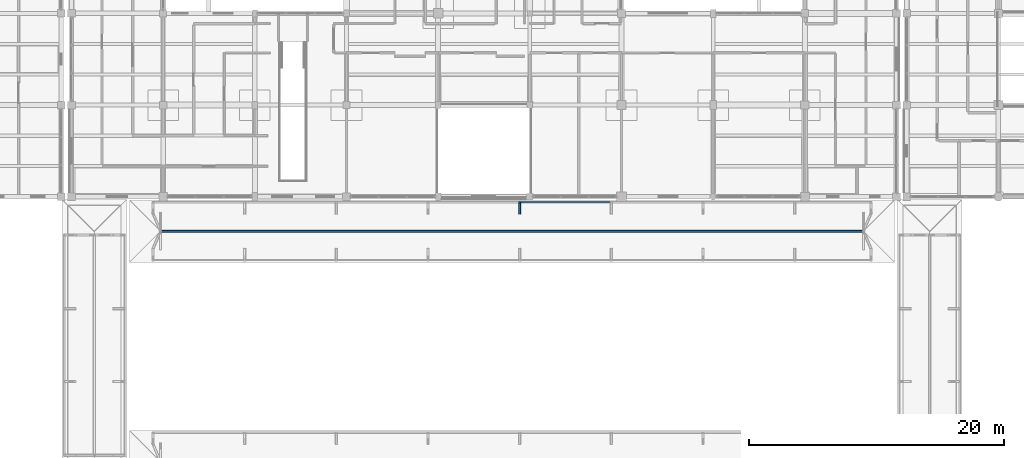
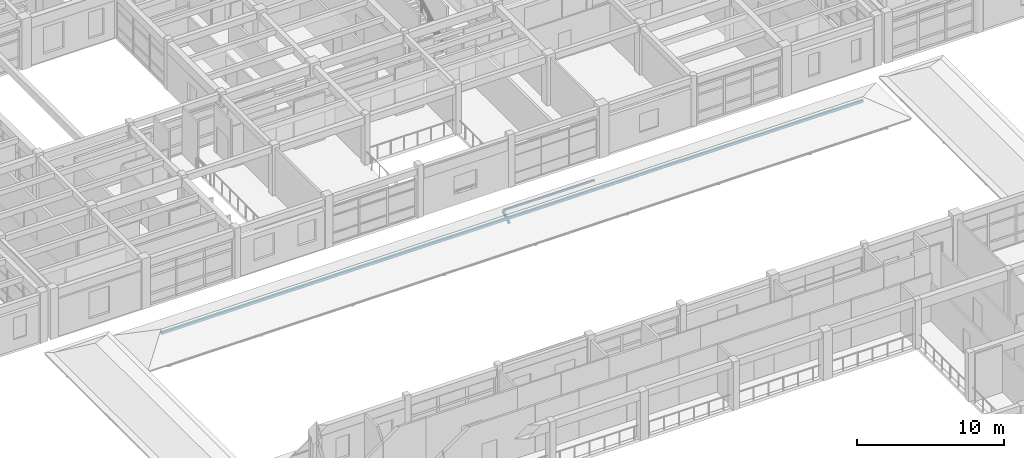
# One storey, part 24 of 110: 3 members.
"""IFC4 building model written with IfcOpenShell, lengths in metres."""

from ifc_helpers import new_model, si_unit, direction, frame, origin, origin_2d, place, context, subcontext, project, spatial, rectangle, hollow_rectangle, extrude, material, material_profile, profile_set, type_object, element, save


model = new_model("IFC4")

# Units and contexts
model_context = context("Model", 3, precision=1e-05, world=origin(), true_north=direction((0.0, 1.0)))
body_context = subcontext(model_context, "Body", "Model", "MODEL_VIEW")
ifc_project = project(units=[si_unit("LENGTHUNIT", "METRE"), si_unit("AREAUNIT", "SQUARE_METRE"), si_unit("VOLUMEUNIT", "CUBIC_METRE"), si_unit("PLANEANGLEUNIT", "RADIAN"), si_unit("MASSUNIT", "GRAM", prefix="KILO")], contexts=[model_context])

# Site, building, storey
site_placement = place(None, origin())
site = spatial("IfcSite", under=ifc_project, at=site_placement, CompositionType="ELEMENT")
building_placement = place(site_placement, origin())
building = spatial("IfcBuilding", under=site, at=building_placement, Name="Steenspoor Specialist Clinic", CompositionType="ELEMENT")
storey_placement = place(building_placement, frame((0.0, 0.0, 4.800048828125)))
storey = spatial("IfcBuildingStorey", under=building, at=storey_placement, Name="L01", CompositionType="ELEMENT", Elevation=4.800048828125)

# Members
ifc_material_1 = material(Name="Steel A500 Grade C", Category="steel")
ifc_material_profile_1 = material_profile(ifc_material_1, hollow_rectangle(XDim=0.1015625, YDim=0.15234375, WallThickness=0.005859375, at=origin_2d()), Name="HSS152X102X6.4")
ifc_profile_set_1 = profile_set([ifc_material_profile_1], Name="Steel A500 Grade C")
member_type_1 = type_object("IfcMemberType", Name="MEM-PURLIN-H152", PredefinedType="PURLIN", material=ifc_profile_set_1)
member_1_placement = place(storey_placement, frame((87.60009765625, 64.719970703125, -1.571533203125), z_axis=(1.0, 0.0, 0.0), x_axis=(0.0, 1.0, 0.0)))
element("IfcMember", 1, at=member_1_placement, inside=storey, type_object=member_type_1, Name="Walkway Fascia WK4 595", PredefinedType="PURLIN", context=body_context, shape_type="SweptSolid", body=[
    extrude(hollow_rectangle(XDim=0.1015625, YDim=0.15234375, WallThickness=0.005859375, at=origin_2d()), origin(), (0.0, 0.0, 1.0), 7.199951171875),
])
ifc_material_2 = material(Name="Glulam GL28h", Category="wood")
ifc_material_profile_2 = material_profile(ifc_material_2, rectangle(XDim=0.139892578125, YDim=0.219970703125, at=origin_2d()), Name="GL28H-140X220")
ifc_profile_set_2 = profile_set([ifc_material_profile_2], Name="Glulam GL28h")
member_type_2 = type_object("IfcMemberType", Name="MEM-RAFTER-GL220", PredefinedType="RAFTER", material=ifc_profile_set_2)
member_2_placement = place(storey_placement, frame((87.60009765625, 63.85009765625, -2.114990234375), z_axis=(0.0, 0.865930570761, 0.500164219654), x_axis=(-1.0, 0.0, 0.0)))
element("IfcMember", 2, at=member_2_placement, inside=storey, type_object=member_type_2, Name="Walkway Eave Outrigger WK4 418", PredefinedType="RAFTER", context=body_context, shape_type="SweptSolid", body=[
    extrude(rectangle(XDim=0.139892578125, YDim=0.219970703125, at=origin_2d()), origin(), (0.0, 0.0, 1.0), 1.004638671875),
])
member_3_placement = place(storey_placement, frame((59.39990234375, 62.449951171875, -0.520263671875), z_axis=(1.0, 0.0, 0.0), x_axis=(0.0, 1.0, 0.0)))
element("IfcMember", 3, at=member_3_placement, inside=storey, type_object=member_type_2, Name="Walkway Ridge Rafter WK4", PredefinedType="RAFTER", context=body_context, shape_type="SweptSolid", body=[
    extrude(rectangle(XDim=0.139892578125, YDim=0.219970703125, at=origin_2d()), origin(), (0.0, 0.0, 1.0), 55.2001953125),
])

save(model, "model.ifc")
